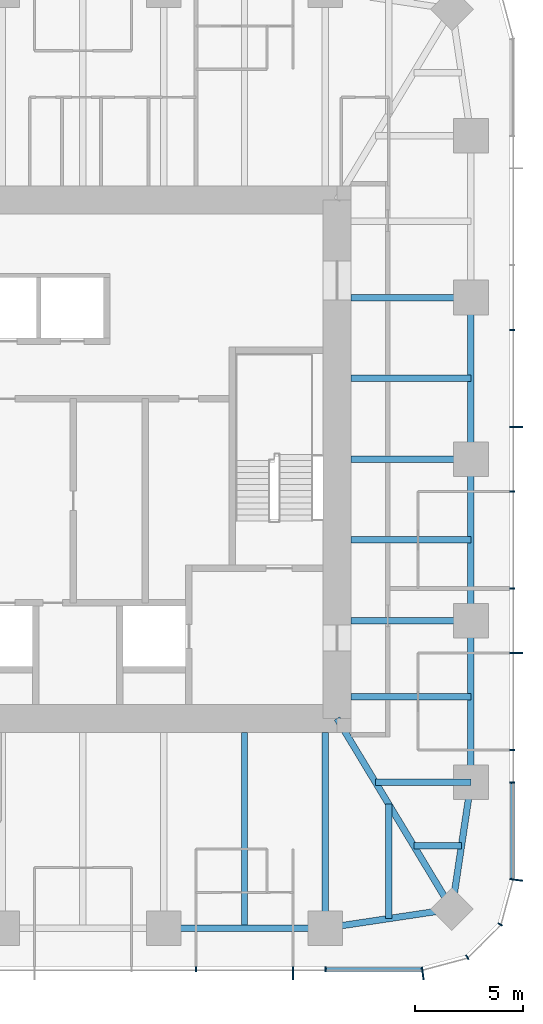
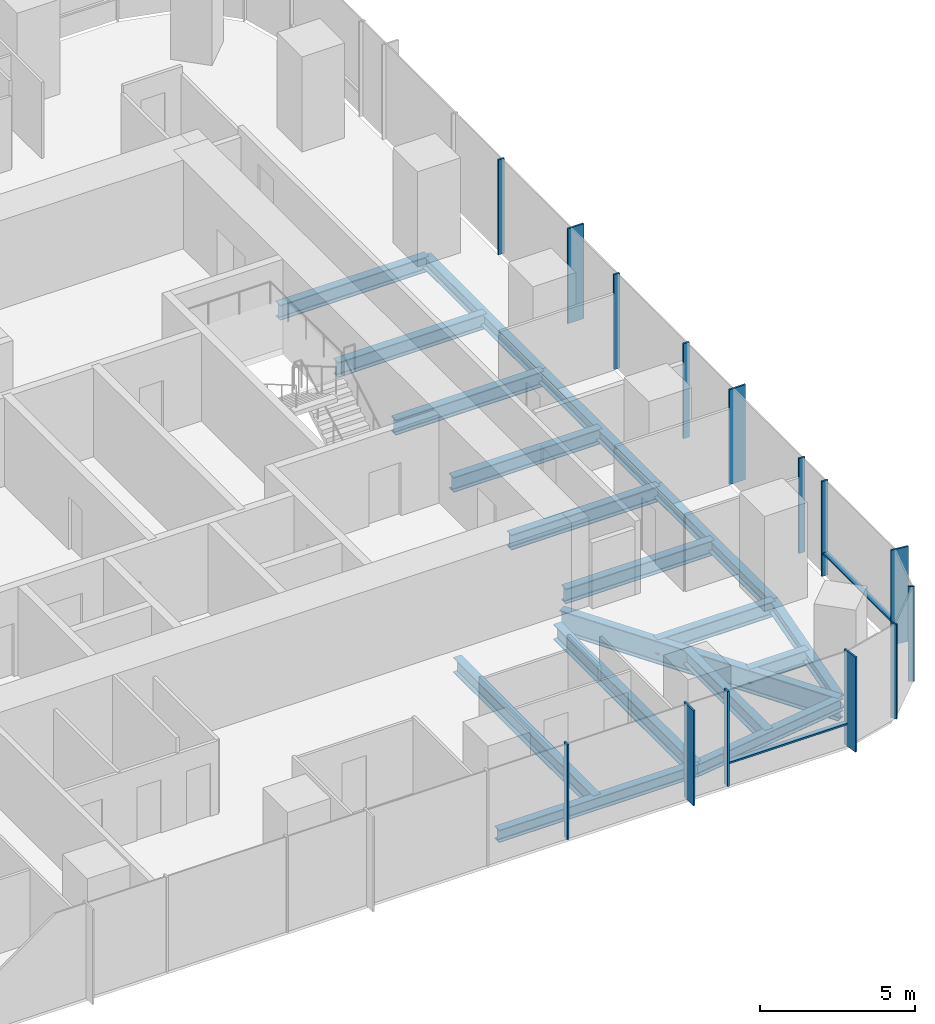
# One storey, part 4 of 12: 18 beams, 16 members, 3 elements without a shape of their own.
"""IFC4 building model written with IfcOpenShell, lengths in metres."""

from ifc_helpers import new_model, si_unit, direction, frame, origin, origin_2d, place, context, subcontext, project, spatial, rectangle, i_section, extrude, material, material_profile, profile_set, type_object, element, aggregate, save


model = new_model("IFC4")

# Units and contexts
model_context = context("Model", 3, precision=1e-05, world=origin(), true_north=direction((0.0, 1.0)))
body_context = subcontext(model_context, "Body", "Model", "MODEL_VIEW")
ifc_project = project(units=[si_unit("LENGTHUNIT", "METRE"), si_unit("AREAUNIT", "SQUARE_METRE"), si_unit("VOLUMEUNIT", "CUBIC_METRE"), si_unit("PLANEANGLEUNIT", "RADIAN"), si_unit("MASSUNIT", "GRAM", prefix="KILO")], contexts=[model_context])

# Site, building, storey
site_placement = place(None, origin())
site = spatial("IfcSite", under=ifc_project, at=site_placement, CompositionType="ELEMENT")
building_placement = place(site_placement, origin())
building = spatial("IfcBuilding", under=site, at=building_placement, Name="Khuree Lantern Residences", CompositionType="ELEMENT")
storey_placement = place(building_placement, frame((0.0, 0.0, 312.0)))
storey = spatial("IfcBuildingStorey", under=building, at=storey_placement, Name="L78", CompositionType="ELEMENT", Elevation=312.0)

# Beams
ifc_material_1 = material(Name="Steel S355", Category="steel")
ifc_material_profile_1 = material_profile(ifc_material_1, i_section(OverallWidth=0.300048828125, OverallDepth=0.590087890625, WebThickness=0.012939453125, FlangeThickness=0.02490234375, FilletRadius=0.027099609375, at=origin_2d()), Name="HE 600 A")
ifc_profile_set_1 = profile_set([ifc_material_profile_1], Name="Steel S355")
beam_type_1 = type_object("IfcBeamType", Name="B-42 SECONDARY BEAM HE 600 A", PredefinedType="BEAM", material=ifc_profile_set_1)
for number, where, z_axis, x_axis, name in (
    (1, (21.699951171875, 3.739990234375, -0.544921875), (-1.0, 0.0, 0.0), (0.0, -1.0, 0.0), "Secondary beam E3"),
    (2, (21.699951171875, -3.739990234375, -0.544921875), (-1.0, 0.0, 0.0), (0.0, -1.0, 0.0), "Secondary beam E4"),
    (3, (21.699951171875, -11.0, -0.544921875), (-1.0, 0.0, 0.0), (0.0, -1.0, 0.0), "Secondary beam E5"),
):
    element("IfcBeam", number, at=place(storey_placement, frame(where, z_axis=z_axis, x_axis=x_axis)), inside=storey, type_object=beam_type_1, Name=name, PredefinedType="BEAM", context=body_context, shape_type="SweptSolid", body=[
        extrude(i_section(OverallWidth=0.300048828125, OverallDepth=0.590087890625, WebThickness=0.012939453125, FlangeThickness=0.02490234375, FilletRadius=0.027099609375, at=origin_2d()), origin(), (0.0, 0.0, 1.0), 5.550048828125),
    ])
beam_1_placement = place(storey_placement, frame((21.2607421875, -17.890625, -0.544921875), z_axis=(-1.0, 0.0, 0.0), x_axis=(0.0, -1.0, 0.0)))
element("IfcBeam", 4, at=beam_1_placement, inside=storey, type_object=beam_type_1, Name="Secondary beam E6", PredefinedType="BEAM", context=body_context, shape_type="SweptSolid", body=[
    extrude(i_section(OverallWidth=0.300048828125, OverallDepth=0.590087890625, WebThickness=0.012939453125, FlangeThickness=0.02490234375, FilletRadius=0.027099609375, at=origin_2d()), origin(), (0.0, 0.0, 1.0), 2.207275390625),
])
beam_2_placement = place(storey_placement, frame((17.890625, -21.2607421875, -0.544921875), z_axis=(0.0, 1.0, 0.0), x_axis=(-1.0, 0.0, 0.0)))
element("IfcBeam", 5, at=beam_2_placement, inside=storey, type_object=beam_type_1, Name="Secondary beam S1", PredefinedType="BEAM", context=body_context, shape_type="SweptSolid", body=[
    extrude(i_section(OverallWidth=0.300048828125, OverallDepth=0.590087890625, WebThickness=0.012939453125, FlangeThickness=0.02490234375, FilletRadius=0.027099609375, at=origin_2d()), origin(), (0.0, 0.0, 1.0), 5.297607421875),
])
beam_3_placement = place(storey_placement, frame((11.219970703125, -21.699951171875, -0.544921875), z_axis=(0.0, 1.0, 0.0), x_axis=(-1.0, 0.0, 0.0)))
element("IfcBeam", 6, at=beam_3_placement, inside=storey, type_object=beam_type_1, Name="Secondary beam S2", PredefinedType="BEAM", context=body_context, shape_type="SweptSolid", body=[
    extrude(i_section(OverallWidth=0.300048828125, OverallDepth=0.590087890625, WebThickness=0.012939453125, FlangeThickness=0.02490234375, FilletRadius=0.027099609375, at=origin_2d()), origin(), (0.0, 0.0, 1.0), 9.050048828125),
])
ifc_material_profile_2 = material_profile(ifc_material_1, i_section(OverallWidth=0.300048828125, OverallDepth=0.489990234375, WebThickness=0.011962890625, FlangeThickness=0.02294921875, FilletRadius=0.027099609375, at=origin_2d()), Name="HE 500 A")
ifc_profile_set_2 = profile_set([ifc_material_profile_2], Name="Steel S355")
beam_type_2 = type_object("IfcBeamType", Name="E-42 SPANDREL BEAM HE 500 A", PredefinedType="SPANDREL", material=ifc_profile_set_2)
for number, where, z_axis, x_axis, name in (
    (7, (21.699951171875, 7.47998046875, -0.4951171875), (0.0, -1.0, 0.0), (1.0, 0.0, 0.0), "Spandrel beam E3"),
    (8, (21.699951171875, 0.0, -0.4951171875), (0.0, -1.0, 0.0), (1.0, 0.0, 0.0), "Spandrel beam E4"),
    (9, (21.699951171875, -7.47998046875, -0.4951171875), (0.0, -1.0, 0.0), (1.0, 0.0, 0.0), "Spandrel beam E5"),
):
    element("IfcBeam", number, at=place(storey_placement, frame(where, z_axis=z_axis, x_axis=x_axis)), inside=storey, type_object=beam_type_2, Name=name, PredefinedType="SPANDREL", context=body_context, shape_type="SweptSolid", body=[
        extrude(i_section(OverallWidth=0.300048828125, OverallDepth=0.489990234375, WebThickness=0.011962890625, FlangeThickness=0.02294921875, FilletRadius=0.027099609375, at=origin_2d()), origin(), (0.0, 0.0, 1.0), 7.47998046875),
    ])
for number, where, z_axis, x_axis, name in (
    (10, (21.699951171875, -14.9599609375, -0.4951171875), (-0.148251822985, -0.988949643299, 0.0), (0.988949643299, -0.148251822985, 0.0), "Spandrel beam E6"),
    (11, (20.8212890625, -20.8212890625, -0.4951171875), (-0.988949643299, -0.148251822985, 0.0), (0.148251822985, -0.988949643299, 0.0), "Spandrel beam S1"),
):
    element("IfcBeam", number, at=place(storey_placement, frame(where, z_axis=z_axis, x_axis=x_axis)), inside=storey, type_object=beam_type_2, Name=name, PredefinedType="SPANDREL", context=body_context, shape_type="SweptSolid", body=[
        extrude(i_section(OverallWidth=0.300048828125, OverallDepth=0.489990234375, WebThickness=0.011962890625, FlangeThickness=0.02294921875, FilletRadius=0.027099609375, at=origin_2d()), origin(), (0.0, 0.0, 1.0), 5.9267578125),
    ])
beam_4_placement = place(storey_placement, frame((14.9599609375, -21.699951171875, -0.4951171875), z_axis=(-1.0, 0.0, 0.0), x_axis=(0.0, -1.0, 0.0)))
element("IfcBeam", 12, at=beam_4_placement, inside=storey, type_object=beam_type_2, Name="Spandrel beam S2", PredefinedType="SPANDREL", context=body_context, shape_type="SweptSolid", body=[
    extrude(i_section(OverallWidth=0.300048828125, OverallDepth=0.489990234375, WebThickness=0.011962890625, FlangeThickness=0.02294921875, FilletRadius=0.027099609375, at=origin_2d()), origin(), (0.0, 0.0, 1.0), 7.47998046875),
])

# Curtain wall, member
ifc_material_2 = material(Name="Bronze anodised aluminium", Category="aluminium")
curtain_wall_type_1 = type_object("IfcCurtainWallType", Name="CW-T2 TOWER CORNER CURTAIN WALL", PredefinedType="USERDEFINED", material=ifc_material_2)
curtain_wall_1_placement = place(storey_placement, origin())
curtain_wall_1 = element("IfcCurtainWall", 13, at=curtain_wall_1_placement, inside=storey, type_object=curtain_wall_type_1, Name="L78 SOUTH-EAST CORNER CURTAIN WALL", ObjectType="Faceted corner curtain wall", PredefinedType="USERDEFINED")
ifc_material_profile_3 = material_profile(ifc_material_2, rectangle(XDim=0.06494140625, YDim=0.60009765625, at=origin_2d()), Name="F1 65X600")
ifc_profile_set_3 = profile_set([ifc_material_profile_3], Name="Bronze anodised aluminium")
member_type_1 = type_object("IfcMemberType", Name="F1 BRONZE FIN MULLION TOWER 65X600", PredefinedType="MULLION", material=ifc_profile_set_3)
member_1_placement = place(storey_placement, frame((19.4697265625, -23.800048828125, 0.0), z_axis=(0.0, 0.0, 1.0), x_axis=(0.991444870192, 0.130526125236, 0.0)))
member_1 = element("IfcMember", 14, at=member_1_placement, type_object=member_type_1, Name="L78 SOUTH-EAST CORNER FIN MULLION 1", PredefinedType="MULLION", context=body_context, shape_type="SweptSolid", body=[
    extrude(rectangle(XDim=0.06494140625, YDim=0.60009765625, at=origin_2d()), origin(), (0.0, 0.0, 1.0), 3.75),
])

# Curtain wall, members
curtain_wall_type_2 = type_object("IfcCurtainWallType", Name="CW-T1 TOWER FACE CURTAIN WALL", PredefinedType="USERDEFINED", material=ifc_material_2)
curtain_wall_2_placement = place(storey_placement, origin())
curtain_wall_2 = element("IfcCurtainWall", 15, at=curtain_wall_2_placement, inside=storey, type_object=curtain_wall_type_2, Name="L78 EAST FACE CURTAIN WALL", ObjectType="Stick-built curtain wall", PredefinedType="USERDEFINED")
member_2_placement = place(storey_placement, frame((23.800048828125, -19.4697265625, 0.0), z_axis=(0.0, 0.0, 1.0), x_axis=(0.130526125236, 0.991444870192, 0.0)))
member_2 = element("IfcMember", 16, at=member_2_placement, type_object=member_type_1, Name="L78 EAST FACE FIN MULLION 4", PredefinedType="MULLION", context=body_context, shape_type="SweptSolid", body=[
    extrude(rectangle(XDim=0.06494140625, YDim=0.60009765625, at=origin_2d()), origin(), (0.0, 0.0, 1.0), 3.75),
])
member_3_placement = place(storey_placement, frame((23.800048828125, -8.97607421875, 0.0), z_axis=(0.0, 0.0, 1.0), x_axis=(0.0, 1.0, 0.0)))
member_3 = element("IfcMember", 17, at=member_3_placement, type_object=member_type_1, Name="L78 EAST FACE FIN MULLION 7", PredefinedType="MULLION", context=body_context, shape_type="SweptSolid", body=[
    extrude(rectangle(XDim=0.06494140625, YDim=0.60009765625, at=origin_2d()), origin(), (0.0, 0.0, 1.0), 3.75),
])
member_4_placement = place(storey_placement, frame((23.800048828125, 1.49609375, 0.0), z_axis=(0.0, 0.0, 1.0), x_axis=(0.0, 1.0, 0.0)))
member_4 = element("IfcMember", 18, at=member_4_placement, type_object=member_type_1, Name="L78 EAST FACE FIN MULLION 10", PredefinedType="MULLION", context=body_context, shape_type="SweptSolid", body=[
    extrude(rectangle(XDim=0.06494140625, YDim=0.60009765625, at=origin_2d()), origin(), (0.0, 0.0, 1.0), 3.75),
])

# Curtain wall, member
curtain_wall_3_placement = place(storey_placement, origin())
curtain_wall_3 = element("IfcCurtainWall", 19, at=curtain_wall_3_placement, inside=storey, type_object=curtain_wall_type_2, Name="L78 SOUTH FACE CURTAIN WALL", ObjectType="Stick-built curtain wall", PredefinedType="USERDEFINED")
member_5_placement = place(storey_placement, frame((13.464111328125, -23.800048828125, 0.0), z_axis=(0.0, 0.0, 1.0), x_axis=(1.0, 0.0, 0.0)))
member_5 = element("IfcMember", 20, at=member_5_placement, type_object=member_type_1, Name="L78 SOUTH FACE FIN MULLION 55", PredefinedType="MULLION", context=body_context, shape_type="SweptSolid", body=[
    extrude(rectangle(XDim=0.06494140625, YDim=0.60009765625, at=origin_2d()), origin(), (0.0, 0.0, 1.0), 3.75),
])

# Beams
ifc_material_profile_4 = material_profile(ifc_material_1, i_section(OverallWidth=0.300048828125, OverallDepth=0.60009765625, WebThickness=0.015380859375, FlangeThickness=0.030029296875, FilletRadius=0.027099609375, at=origin_2d()), Name="HE 600 B")
ifc_profile_set_4 = profile_set([ifc_material_profile_4], Name="Steel S355")
beam_type_3 = type_object("IfcBeamType", Name="G-42 GIRDER HE 600 B", PredefinedType="BEAM", material=ifc_profile_set_4)
for number, where, z_axis, x_axis, name in (
    (21, (21.699951171875, 7.47998046875, -0.550048828125), (-1.0, 0.0, 0.0), (0.0, -1.0, 0.0), "Girder E2"),
    (22, (21.699951171875, 0.0, -0.550048828125), (-1.0, 0.0, 0.0), (0.0, -1.0, 0.0), "Girder E3"),
    (23, (21.699951171875, -7.47998046875, -0.550048828125), (-1.0, 0.0, 0.0), (0.0, -1.0, 0.0), "Girder E4"),
):
    element("IfcBeam", number, at=place(storey_placement, frame(where, z_axis=z_axis, x_axis=x_axis)), inside=storey, type_object=beam_type_3, Name=name, PredefinedType="BEAM", context=body_context, shape_type="SweptSolid", body=[
        extrude(i_section(OverallWidth=0.300048828125, OverallDepth=0.60009765625, WebThickness=0.015380859375, FlangeThickness=0.030029296875, FilletRadius=0.027099609375, at=origin_2d()), origin(), (0.0, 0.0, 1.0), 5.550048828125),
    ])
beam_5_placement = place(storey_placement, frame((21.699951171875, -14.9599609375, -0.550048828125), z_axis=(-1.0, 0.0, 0.0), x_axis=(0.0, -1.0, 0.0)))
element("IfcBeam", 24, at=beam_5_placement, inside=storey, type_object=beam_type_3, Name="Girder E5", PredefinedType="BEAM", context=body_context, shape_type="SweptSolid", body=[
    extrude(i_section(OverallWidth=0.300048828125, OverallDepth=0.60009765625, WebThickness=0.015380859375, FlangeThickness=0.030029296875, FilletRadius=0.027099609375, at=origin_2d()), origin(), (0.0, 0.0, 1.0), 4.414306640625),
])
beam_6_placement = place(storey_placement, frame((14.9599609375, -21.699951171875, -0.550048828125), z_axis=(0.0, 1.0, 0.0), x_axis=(-1.0, 0.0, 0.0)))
element("IfcBeam", 25, at=beam_6_placement, inside=storey, type_object=beam_type_3, Name="Girder S1", PredefinedType="BEAM", context=body_context, shape_type="SweptSolid", body=[
    extrude(i_section(OverallWidth=0.300048828125, OverallDepth=0.60009765625, WebThickness=0.015380859375, FlangeThickness=0.030029296875, FilletRadius=0.027099609375, at=origin_2d()), origin(), (0.0, 0.0, 1.0), 9.050048828125),
])
ifc_material_profile_5 = material_profile(ifc_material_1, i_section(OverallWidth=0.300048828125, OverallDepth=0.89990234375, WebThickness=0.0185546875, FlangeThickness=0.034912109375, FilletRadius=0.030029296875, at=origin_2d()), Name="HE 900 B")
ifc_profile_set_5 = profile_set([ifc_material_profile_5], Name="Steel S355")
beam_type_4 = type_object("IfcBeamType", Name="GD-42 CORNER GIRDER HE 900 B", PredefinedType="BEAM", material=ifc_profile_set_5)
beam_7_placement = place(storey_placement, frame((20.8212890625, -20.8212890625, -0.699951171875), z_axis=(-0.516529577604, 0.856269347495, 0.0), x_axis=(-0.856269347495, -0.516529577604, 0.0)))
element("IfcBeam", 26, at=beam_7_placement, inside=storey, type_object=beam_type_4, Name="Corner girder SE", PredefinedType="BEAM", context=body_context, shape_type="SweptSolid", body=[
    extrude(i_section(OverallWidth=0.300048828125, OverallDepth=0.89990234375, WebThickness=0.0185546875, FlangeThickness=0.034912109375, FilletRadius=0.030029296875, at=origin_2d()), origin(), (0.0, 0.0, 1.0), 10.302001953125),
])

# Member
ifc_material_profile_6 = material_profile(ifc_material_2, rectangle(XDim=0.06494140625, YDim=0.219970703125, at=origin_2d()), Name="M1 65X220")
ifc_profile_set_6 = profile_set([ifc_material_profile_6], Name="Bronze anodised aluminium")
member_type_2 = type_object("IfcMemberType", Name="M1 BRONZE MULLION TOWER 65X220", PredefinedType="MULLION", material=ifc_profile_set_6)
member_6_placement = place(storey_placement, frame((21.530029296875, -23.052734375, 0.0), z_axis=(0.0, 0.0, 1.0), x_axis=(0.866025437565, 0.49999994149, 0.0)))
member_6 = element("IfcMember", 27, at=member_6_placement, type_object=member_type_2, Name="L78 SOUTH-EAST CORNER MULLION 2", PredefinedType="MULLION", context=body_context, shape_type="SweptSolid", body=[
    extrude(rectangle(XDim=0.06494140625, YDim=0.219970703125, at=origin_2d()), origin(), (0.0, 0.0, 1.0), 3.75),
])

member_7_placement = place(storey_placement, frame((23.052734375, -21.530029296875, 0.0), z_axis=(0.0, 0.0, 1.0), x_axis=(0.49999994149, 0.866025437565, 0.0)))
member_7 = element("IfcMember", 28, at=member_7_placement, type_object=member_type_2, Name="L78 SOUTH-EAST CORNER MULLION 3", PredefinedType="MULLION", context=body_context, shape_type="SweptSolid", body=[
    extrude(rectangle(XDim=0.06494140625, YDim=0.219970703125, at=origin_2d()), origin(), (0.0, 0.0, 1.0), 3.75),
])

aggregate(curtain_wall_1, [member_1, member_6, member_7])

member_8_placement = place(storey_placement, frame((23.610107421875, -14.9599609375, 0.0), z_axis=(0.0, 0.0, 1.0), x_axis=(0.0, 1.0, 0.0)))
member_8 = element("IfcMember", 29, at=member_8_placement, type_object=member_type_2, Name="L78 EAST FACE MULLION 5", PredefinedType="MULLION", context=body_context, shape_type="SweptSolid", body=[
    extrude(rectangle(XDim=0.06494140625, YDim=0.219970703125, at=origin_2d()), origin(), (0.0, 0.0, 1.0), 3.75),
])

member_9_placement = place(storey_placement, frame((23.610107421875, -13.464111328125, 0.0), z_axis=(0.0, 0.0, 1.0), x_axis=(0.0, 1.0, 0.0)))
member_9 = element("IfcMember", 30, at=member_9_placement, type_object=member_type_2, Name="L78 EAST FACE MULLION 6", PredefinedType="MULLION", context=body_context, shape_type="SweptSolid", body=[
    extrude(rectangle(XDim=0.06494140625, YDim=0.219970703125, at=origin_2d()), origin(), (0.0, 0.0, 1.0), 3.75),
])

member_10_placement = place(storey_placement, frame((23.610107421875, -5.98388671875, 0.0), z_axis=(0.0, 0.0, 1.0), x_axis=(0.0, 1.0, 0.0)))
member_10 = element("IfcMember", 31, at=member_10_placement, type_object=member_type_2, Name="L78 EAST FACE MULLION 8", PredefinedType="MULLION", context=body_context, shape_type="SweptSolid", body=[
    extrude(rectangle(XDim=0.06494140625, YDim=0.219970703125, at=origin_2d()), origin(), (0.0, 0.0, 1.0), 3.75),
])

member_11_placement = place(storey_placement, frame((23.610107421875, -1.49609375, 0.0), z_axis=(0.0, 0.0, 1.0), x_axis=(0.0, 1.0, 0.0)))
member_11 = element("IfcMember", 32, at=member_11_placement, type_object=member_type_2, Name="L78 EAST FACE MULLION 9", PredefinedType="MULLION", context=body_context, shape_type="SweptSolid", body=[
    extrude(rectangle(XDim=0.06494140625, YDim=0.219970703125, at=origin_2d()), origin(), (0.0, 0.0, 1.0), 3.75),
])

member_12_placement = place(storey_placement, frame((23.610107421875, 5.98388671875, 0.0), z_axis=(0.0, 0.0, 1.0), x_axis=(0.0, 1.0, 0.0)))
member_12 = element("IfcMember", 33, at=member_12_placement, type_object=member_type_2, Name="L78 EAST FACE MULLION 11", PredefinedType="MULLION", context=body_context, shape_type="SweptSolid", body=[
    extrude(rectangle(XDim=0.06494140625, YDim=0.219970703125, at=origin_2d()), origin(), (0.0, 0.0, 1.0), 3.75),
])

member_13_placement = place(storey_placement, frame((8.97607421875, -23.610107421875, 0.0), z_axis=(0.0, 0.0, 1.0), x_axis=(1.0, 0.0, 0.0)))
member_13 = element("IfcMember", 34, at=member_13_placement, type_object=member_type_2, Name="L78 SOUTH FACE MULLION 54", PredefinedType="MULLION", context=body_context, shape_type="SweptSolid", body=[
    extrude(rectangle(XDim=0.06494140625, YDim=0.219970703125, at=origin_2d()), origin(), (0.0, 0.0, 1.0), 3.75),
])

member_14_placement = place(storey_placement, frame((14.9599609375, -23.610107421875, 0.0), z_axis=(0.0, 0.0, 1.0), x_axis=(1.0, 0.0, 0.0)))
member_14 = element("IfcMember", 35, at=member_14_placement, type_object=member_type_2, Name="L78 SOUTH FACE MULLION 56", PredefinedType="MULLION", context=body_context, shape_type="SweptSolid", body=[
    extrude(rectangle(XDim=0.06494140625, YDim=0.219970703125, at=origin_2d()), origin(), (0.0, 0.0, 1.0), 3.75),
])

ifc_material_profile_7 = material_profile(ifc_material_2, rectangle(XDim=0.179931640625, YDim=0.06494140625, at=origin_2d()), Name="T1 180X65")
ifc_profile_set_7 = profile_set([ifc_material_profile_7], Name="Bronze anodised aluminium")
member_type_3 = type_object("IfcMemberType", Name="TRANSOM T1 TOWER 180X65", PredefinedType="USERDEFINED", material=ifc_profile_set_7)
member_15_placement = place(storey_placement, frame((23.6201171875, -19.4013671875, 0.89990234375), z_axis=(0.0, 1.0, 0.0), x_axis=(-1.0, 0.0, 0.0)))
member_15 = element("IfcMember", 36, at=member_15_placement, type_object=member_type_3, Name="L78 EAST FACE TRANSOM 4.1", ObjectType="Transom", PredefinedType="USERDEFINED", context=body_context, shape_type="SweptSolid", body=[
    extrude(rectangle(XDim=0.179931640625, YDim=0.06494140625, at=origin_2d()), origin(), (0.0, 0.0, 1.0), 4.408935546875),
])

aggregate(curtain_wall_2, [member_2, member_8, member_9, member_3, member_10, member_11, member_4, member_12, member_15])

member_16_placement = place(storey_placement, frame((14.992431640625, -23.6201171875, 0.89990234375), z_axis=(1.0, 0.0, 0.0), x_axis=(0.0, 1.0, 0.0)))
member_16 = element("IfcMember", 37, at=member_16_placement, type_object=member_type_3, Name="L78 SOUTH FACE TRANSOM 56.1", ObjectType="Transom", PredefinedType="USERDEFINED", context=body_context, shape_type="SweptSolid", body=[
    extrude(rectangle(XDim=0.179931640625, YDim=0.06494140625, at=origin_2d()), origin(), (0.0, 0.0, 1.0), 4.408935546875),
])

aggregate(curtain_wall_3, [member_13, member_5, member_14, member_16])

save(model, "model.ifc")
